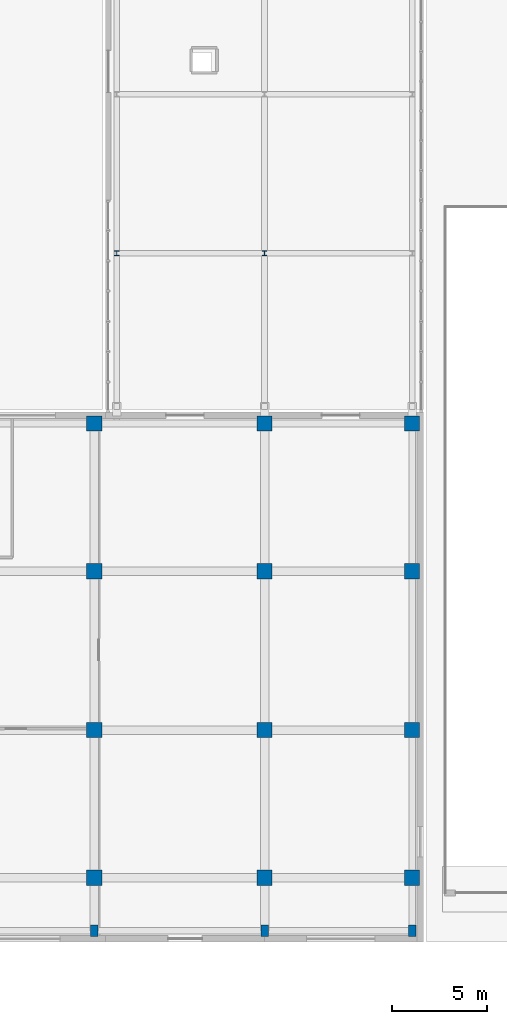
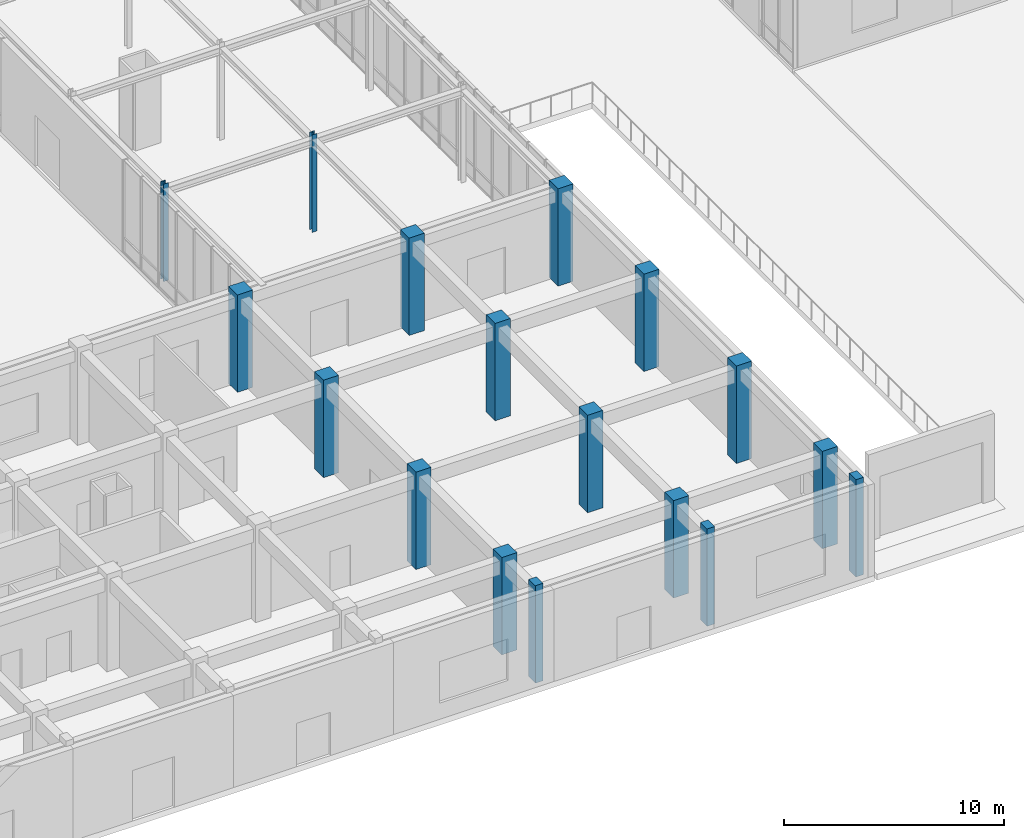
# One storey, part 3 of 122: 17 columns.
"""IFC4 building model written with IfcOpenShell, lengths in metres."""

from ifc_helpers import new_model, si_unit, direction, frame, origin, origin_2d, place, context, subcontext, project, spatial, rectangle, i_section, extrude, material, material_profile, profile_set, type_object, element, save


model = new_model("IFC4")

# Units and contexts
model_context = context("Model", 3, precision=1e-05, world=origin(), true_north=direction((0.0, 1.0)))
body_context = subcontext(model_context, "Body", "Model", "MODEL_VIEW")
ifc_project = project(units=[si_unit("LENGTHUNIT", "METRE"), si_unit("AREAUNIT", "SQUARE_METRE"), si_unit("VOLUMEUNIT", "CUBIC_METRE"), si_unit("PLANEANGLEUNIT", "RADIAN"), si_unit("MASSUNIT", "GRAM", prefix="KILO")], contexts=[model_context])

# Site, building, storey
site_placement = place(None, origin())
site = spatial("IfcSite", under=ifc_project, at=site_placement, CompositionType="ELEMENT")
building_placement = place(site_placement, origin())
building = spatial("IfcBuilding", under=site, at=building_placement, Name="Zayran Congress Hotel", CompositionType="ELEMENT")
storey_placement = place(building_placement, origin())
storey = spatial("IfcBuildingStorey", under=building, at=storey_placement, Name="L00", CompositionType="ELEMENT", Elevation=0.0)

# Columns
ifc_material_1 = material(Name="Concrete C40/50", Category="concrete")
ifc_material_profile_1 = material_profile(ifc_material_1, rectangle(XDim=0.800048828125, YDim=0.800048828125, at=origin_2d()), Name="RC 800x800")
ifc_profile_set_1 = profile_set([ifc_material_profile_1], Name="Concrete C40/50")
column_type_1 = type_object("IfcColumnType", Name="TP-CL-02", PredefinedType="COLUMN", material=ifc_profile_set_1)
for number, where, z_axis, x_axis, name in (
    (1, (75.0, 9.39990234375, 0.0), (0.0, 0.0, 1.0), (1.0, 0.0, 0.0), "COL-V5-L00-0918"),
    (2, (75.0, 17.199951171875, 0.0), (0.0, 0.0, 1.0), (1.0, 0.0, 0.0), "COL-V5-L00-0919"),
    (3, (75.0, 25.60009765625, 0.0), (0.0, 0.0, 1.0), (1.0, 0.0, 0.0), "COL-V5-L00-0920"),
    (4, (75.0, 33.39990234375, 0.0), (0.0, 0.0, 1.0), (1.0, 0.0, 0.0), "COL-V5-L00-0921"),
    (5, (84.0, 9.39990234375, 0.0), (0.0, 0.0, 1.0), (1.0, 0.0, 0.0), "COL-V5-L00-0923"),
    (6, (84.0, 17.199951171875, 0.0), (0.0, 0.0, 1.0), (1.0, 0.0, 0.0), "COL-V5-L00-0924"),
    (7, (84.0, 25.60009765625, 0.0), (0.0, 0.0, 1.0), (1.0, 0.0, 0.0), "COL-V5-L00-0925"),
    (8, (84.0, 33.39990234375, 0.0), (0.0, 0.0, 1.0), (1.0, 0.0, 0.0), "COL-V5-L00-0926"),
    (9, (91.800048828125, 9.39990234375, 0.0), (0.0, 0.0, 1.0), (1.0, 0.0, 0.0), "COL-V5-L00-0928"),
    (10, (91.800048828125, 17.199951171875, 0.0), (0.0, 0.0, 1.0), (1.0, 0.0, 0.0), "COL-V5-L00-0929"),
    (11, (91.800048828125, 25.60009765625, 0.0), (0.0, 0.0, 1.0), (1.0, 0.0, 0.0), "COL-V5-L00-0930"),
    (12, (91.800048828125, 33.39990234375, 0.0), (0.0, 0.0, 1.0), (1.0, 0.0, 0.0), "COL-V5-L00-0931"),
):
    element("IfcColumn", number, at=place(storey_placement, frame(where, z_axis=z_axis, x_axis=x_axis)), inside=storey, type_object=column_type_1, Name=name, PredefinedType="COLUMN", context=body_context, shape_type="SweptSolid", body=[
        extrude(rectangle(XDim=0.800048828125, YDim=0.800048828125, at=origin_2d()), origin(), (0.0, 0.0, 1.0), 5.39990234375),
    ])
ifc_material_profile_2 = material_profile(ifc_material_1, rectangle(XDim=0.39990234375, YDim=0.60009765625, at=origin_2d()), Name="RC 600x400")
ifc_profile_set_2 = profile_set([ifc_material_profile_2], Name="Concrete C40/50")
column_type_2 = type_object("IfcColumnType", Name="TP-CL-06", PredefinedType="PILASTER", material=ifc_profile_set_2)
for number, where, z_axis, x_axis, name in (
    (13, (75.0, 6.60009765625, 0.0), (0.0, 0.0, 1.0), (1.0, 0.0, 0.0), "COL-V5-L00-0917"),
    (14, (84.0, 6.60009765625, 0.0), (0.0, 0.0, 1.0), (1.0, 0.0, 0.0), "COL-V5-L00-0922"),
    (15, (91.800048828125, 6.60009765625, 0.0), (0.0, 0.0, 1.0), (1.0, 0.0, 0.0), "COL-V5-L00-0927"),
):
    element("IfcColumn", number, at=place(storey_placement, frame(where, z_axis=z_axis, x_axis=x_axis)), inside=storey, type_object=column_type_2, Name=name, PredefinedType="PILASTER", context=body_context, shape_type="SweptSolid", body=[
        extrude(rectangle(XDim=0.39990234375, YDim=0.60009765625, at=origin_2d()), origin(), (0.0, 0.0, 1.0), 5.39990234375),
    ])
ifc_material_2 = material(Name="Steel S355", Category="steel")
ifc_material_profile_3 = material_profile(ifc_material_2, i_section(OverallWidth=0.260009765625, OverallDepth=0.260009765625, WebThickness=0.010009765625, FlangeThickness=0.017578125, at=origin_2d()), Name="HEB 260")
ifc_profile_set_3 = profile_set([ifc_material_profile_3], Name="Steel S355")
column_type_3 = type_object("IfcColumnType", Name="TP-CL-09", PredefinedType="COLUMN", material=ifc_profile_set_3)
for number, where, z_axis, x_axis, name in (
    (16, (76.199951171875, 42.39990234375, 0.0), (0.0, 0.0, 1.0), (1.0, 0.0, 0.0), "COL-BR2-L00-1380"),
    (17, (84.0, 42.39990234375, 0.0), (0.0, 0.0, 1.0), (1.0, 0.0, 0.0), "COL-BR2-L00-1383"),
):
    element("IfcColumn", number, at=place(storey_placement, frame(where, z_axis=z_axis, x_axis=x_axis)), inside=storey, type_object=column_type_3, Name=name, PredefinedType="COLUMN", context=body_context, shape_type="SweptSolid", body=[
        extrude(i_section(OverallWidth=0.260009765625, OverallDepth=0.260009765625, WebThickness=0.010009765625, FlangeThickness=0.017578125, at=origin_2d()), origin(), (0.0, 0.0, 1.0), 5.39990234375),
    ])

save(model, "model.ifc")
